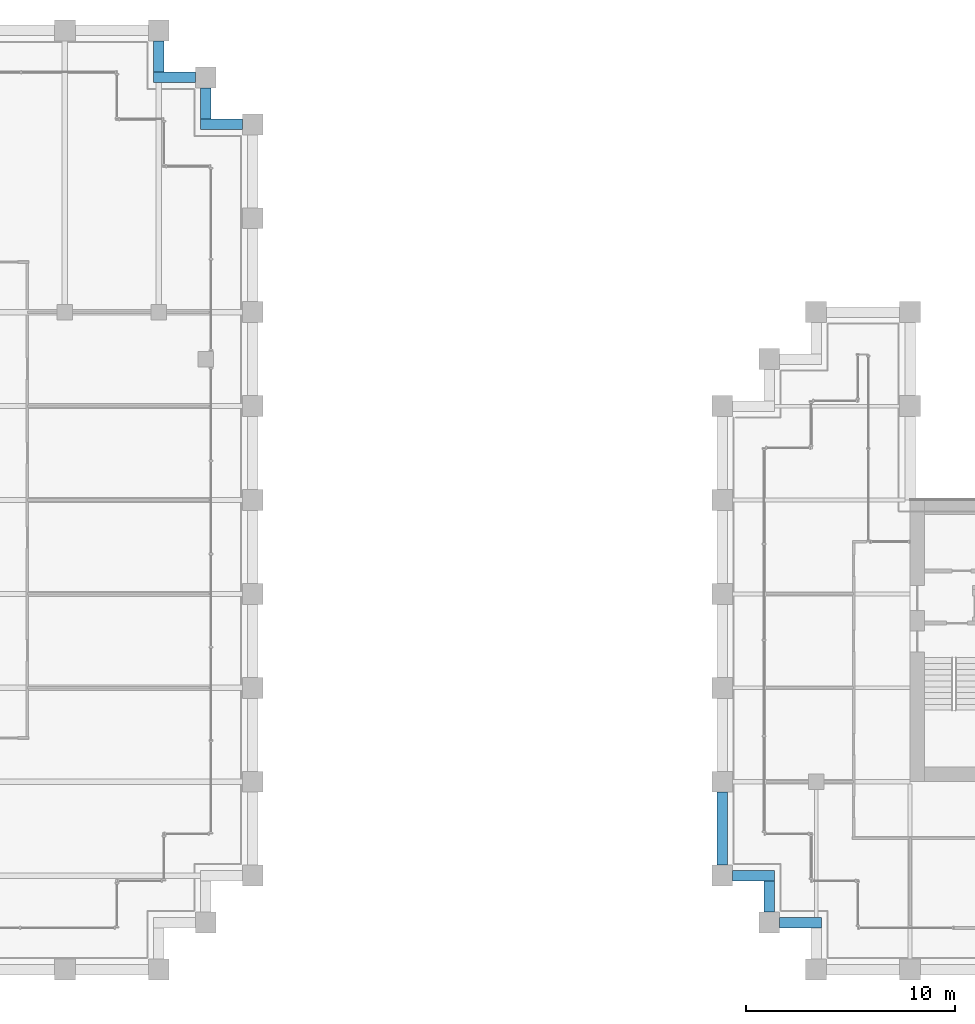
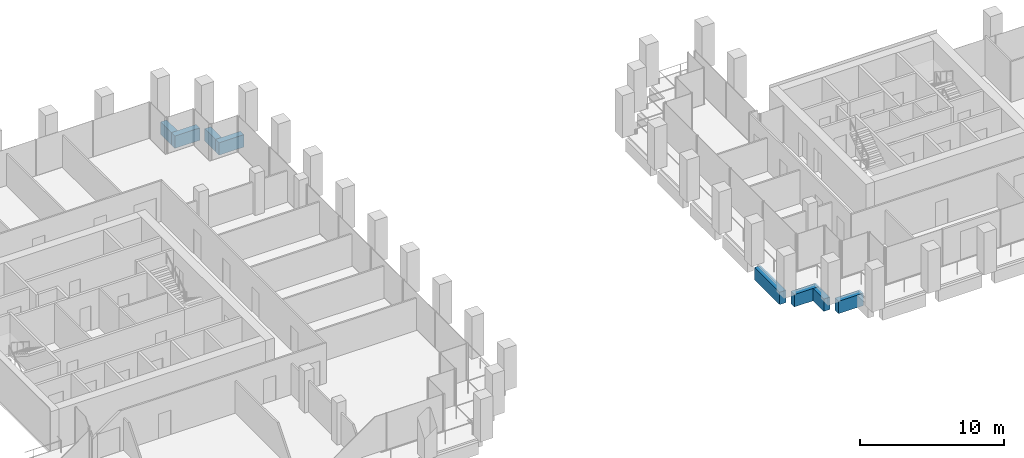
# One storey, part 27 of 47: 8 beams.
"""IFC4 building model written with IfcOpenShell, lengths in metres."""

from ifc_helpers import new_model, si_unit, direction, frame, origin, origin_2d, place, context, subcontext, project, spatial, rectangle, extrude, material, material_profile, profile_set, type_object, element, save


model = new_model("IFC4")

# Units and contexts
model_context = context("Model", 3, precision=1e-05, world=origin(), true_north=direction((0.0, 1.0)))
body_context = subcontext(model_context, "Body", "Model", "MODEL_VIEW")
ifc_project = project(units=[si_unit("LENGTHUNIT", "METRE"), si_unit("AREAUNIT", "SQUARE_METRE"), si_unit("VOLUMEUNIT", "CUBIC_METRE"), si_unit("PLANEANGLEUNIT", "RADIAN"), si_unit("MASSUNIT", "GRAM", prefix="KILO")], contexts=[model_context])

# Site, building, storey
site_placement = place(None, origin())
site = spatial("IfcSite", under=ifc_project, at=site_placement, CompositionType="ELEMENT")
building_placement = place(site_placement, origin())
building = spatial("IfcBuilding", under=site, at=building_placement, Name="Altepetl Exchange Towers", CompositionType="ELEMENT")
storey_placement = place(building_placement, frame((0.0, 0.0, 99.199951171875)))
storey = spatial("IfcBuildingStorey", under=building, at=storey_placement, Name="L24", CompositionType="ELEMENT", Elevation=99.199951171875)

# Beams
ifc_material_1 = material(Name="Concrete C50/60 precast with cantera rosa facing", Category="concrete")
ifc_material_profile_1 = material_profile(ifc_material_1, rectangle(XDim=0.5, YDim=1.050048828125, at=origin_2d()), Name="500 x 1050")
ifc_profile_set_1 = profile_set([ifc_material_profile_1], Name="Concrete C50/60 precast with cantera rosa facing")
beam_type_1 = type_object("IfcBeamType", Name="Spandrel beam 500x1050 cantera rosa", PredefinedType="SPANDREL", material=ifc_profile_set_1)
beam_1_placement = place(storey_placement, frame((71.5, 67.5, -0.675048828125), z_axis=(-1.0, 0.0, 0.0), x_axis=(0.0, -1.0, 0.0)))
element("IfcBeam", 1, at=beam_1_placement, inside=storey, type_object=beam_type_1, Name="sp:A:L24:020", PredefinedType="SPANDREL", context=body_context, shape_type="SweptSolid", body=[
    extrude(rectangle(XDim=0.5, YDim=1.050048828125, at=origin_2d()), origin(), (0.0, 0.0, 1.0), 2.0),
])
beam_2_placement = place(storey_placement, frame((69.75, 67.75, -0.675048828125), z_axis=(0.0, 1.0, 0.0), x_axis=(-1.0, 0.0, 0.0)))
element("IfcBeam", 2, at=beam_2_placement, inside=storey, type_object=beam_type_1, Name="sp:A:L24:021", PredefinedType="SPANDREL", context=body_context, shape_type="SweptSolid", body=[
    extrude(rectangle(XDim=0.5, YDim=1.050048828125, at=origin_2d()), origin(), (0.0, 0.0, 1.0), 1.5),
])
beam_3_placement = place(storey_placement, frame((69.25, 69.75, -0.675048828125), z_axis=(-1.0, 0.0, 0.0), x_axis=(0.0, -1.0, 0.0)))
element("IfcBeam", 3, at=beam_3_placement, inside=storey, type_object=beam_type_1, Name="sp:A:L24:022", PredefinedType="SPANDREL", context=body_context, shape_type="SweptSolid", body=[
    extrude(rectangle(XDim=0.5, YDim=1.050048828125, at=origin_2d()), origin(), (0.0, 0.0, 1.0), 2.0),
])
beam_4_placement = place(storey_placement, frame((67.5, 70.0, -0.675048828125), z_axis=(0.0, 1.0, 0.0), x_axis=(-1.0, 0.0, 0.0)))
element("IfcBeam", 4, at=beam_4_placement, inside=storey, type_object=beam_type_1, Name="sp:A:L24:023", PredefinedType="SPANDREL", context=body_context, shape_type="SweptSolid", body=[
    extrude(rectangle(XDim=0.5, YDim=1.050048828125, at=origin_2d()), origin(), (0.0, 0.0, 1.0), 1.5),
])
ifc_material_2 = material(Name="Concrete C50/60 precast with tezontle facing", Category="concrete")
ifc_material_profile_2 = material_profile(ifc_material_2, rectangle(XDim=0.5, YDim=1.050048828125, at=origin_2d()), Name="500 x 1050")
ifc_profile_set_2 = profile_set([ifc_material_profile_2], Name="Concrete C50/60 precast with tezontle facing")
beam_type_2 = type_object("IfcBeamType", Name="Spandrel beam 500x1050 tezontle", PredefinedType="SPANDREL", material=ifc_profile_set_2)
beam_5_placement = place(storey_placement, frame((94.5, 35.5, -0.675048828125), z_axis=(0.0, -1.0, 0.0), x_axis=(1.0, 0.0, 0.0)))
element("IfcBeam", 5, at=beam_5_placement, inside=storey, type_object=beam_type_2, Name="sp:B:L24:026", PredefinedType="SPANDREL", context=body_context, shape_type="SweptSolid", body=[
    extrude(rectangle(XDim=0.5, YDim=1.050048828125, at=origin_2d()), origin(), (0.0, 0.0, 1.0), 3.5),
])
beam_6_placement = place(storey_placement, frame((95.0, 31.5, -0.675048828125), z_axis=(1.0, 0.0, 0.0), x_axis=(0.0, 1.0, 0.0)))
element("IfcBeam", 6, at=beam_6_placement, inside=storey, type_object=beam_type_2, Name="sp:B:L24:027", PredefinedType="SPANDREL", context=body_context, shape_type="SweptSolid", body=[
    extrude(rectangle(XDim=0.5, YDim=1.050048828125, at=origin_2d()), origin(), (0.0, 0.0, 1.0), 2.0),
])
beam_7_placement = place(storey_placement, frame((96.75, 31.25, -0.675048828125), z_axis=(0.0, -1.0, 0.0), x_axis=(1.0, 0.0, 0.0)))
element("IfcBeam", 7, at=beam_7_placement, inside=storey, type_object=beam_type_2, Name="sp:B:L24:028", PredefinedType="SPANDREL", context=body_context, shape_type="SweptSolid", body=[
    extrude(rectangle(XDim=0.5, YDim=1.050048828125, at=origin_2d()), origin(), (0.0, 0.0, 1.0), 1.5),
])
beam_8_placement = place(storey_placement, frame((97.25, 29.25, -0.675048828125), z_axis=(1.0, 0.0, 0.0), x_axis=(0.0, 1.0, 0.0)))
element("IfcBeam", 8, at=beam_8_placement, inside=storey, type_object=beam_type_2, Name="sp:B:L24:029", PredefinedType="SPANDREL", context=body_context, shape_type="SweptSolid", body=[
    extrude(rectangle(XDim=0.5, YDim=1.050048828125, at=origin_2d()), origin(), (0.0, 0.0, 1.0), 2.0),
])

save(model, "model.ifc")
